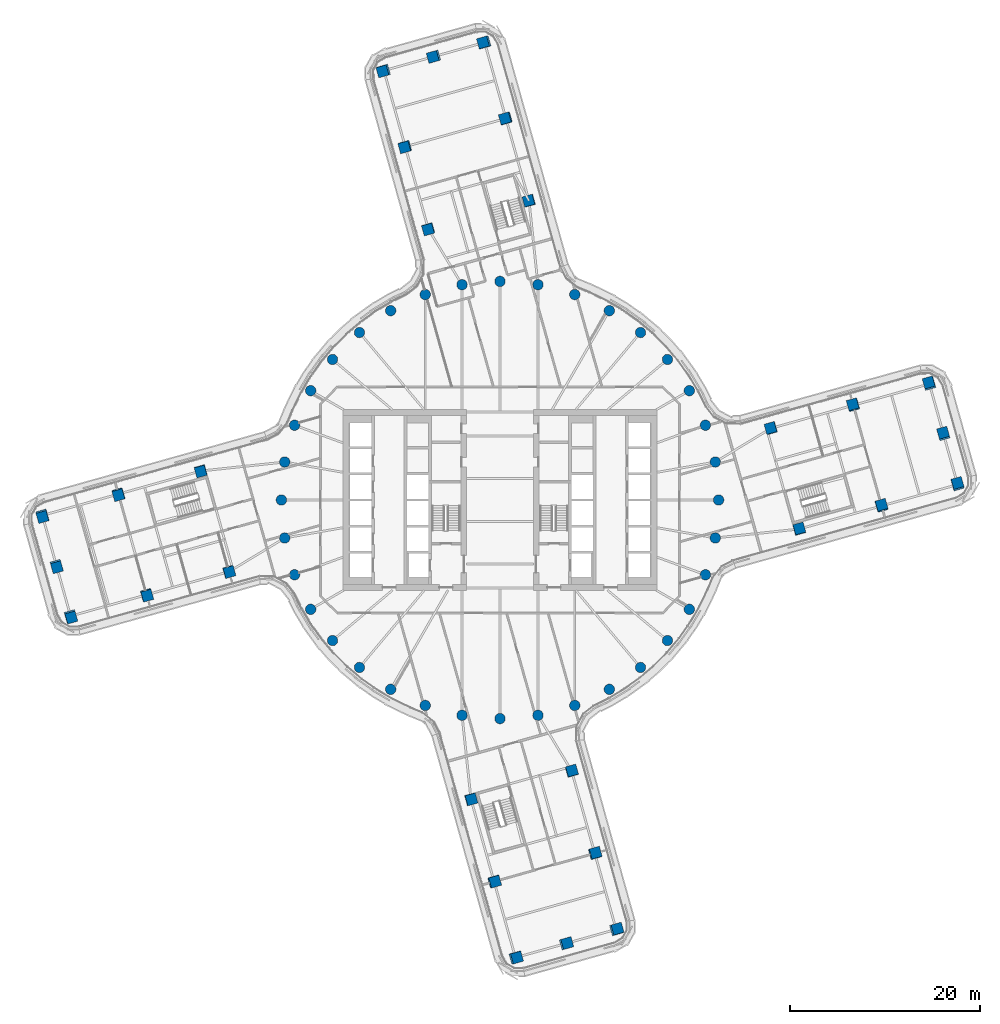
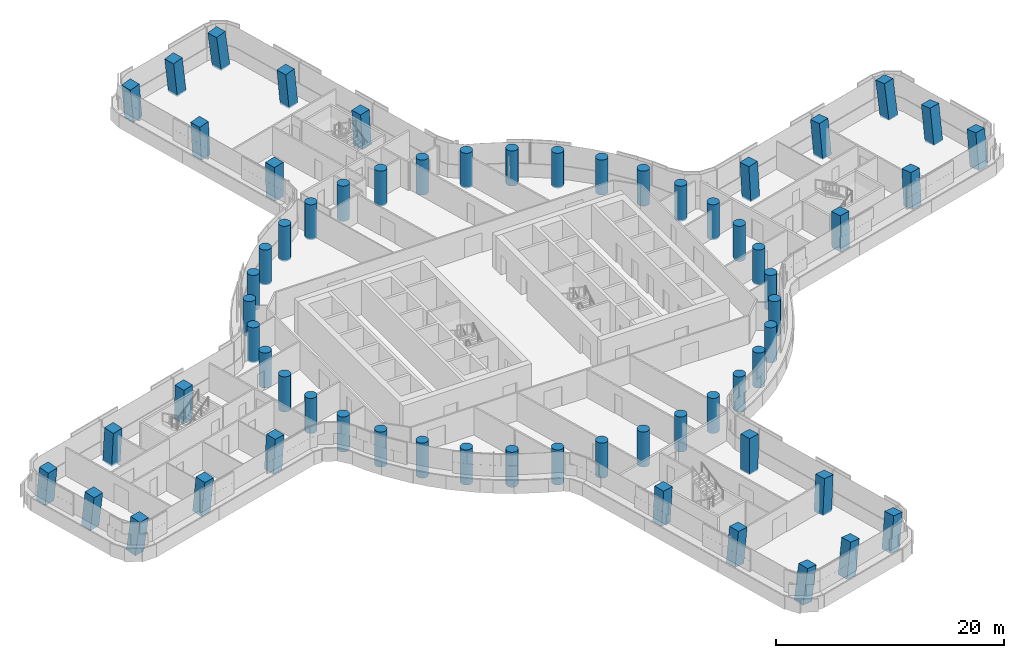
# One storey, part 1 of 30: 64 columns.
"""IFC4 building model written with IfcOpenShell, lengths in metres."""

from ifc_helpers import new_model, si_unit, direction, frame, origin, origin_2d, place, context, subcontext, project, spatial, rectangle, circle, extrude, material, material_profile, profile_set, type_object, element, save


model = new_model("IFC4")

# Units and contexts
model_context = context("Model", 3, precision=1e-05, world=origin(), true_north=direction((0.0, 1.0)))
body_context = subcontext(model_context, "Body", "Model", "MODEL_VIEW")
ifc_project = project(units=[si_unit("LENGTHUNIT", "METRE"), si_unit("AREAUNIT", "SQUARE_METRE"), si_unit("VOLUMEUNIT", "CUBIC_METRE"), si_unit("PLANEANGLEUNIT", "RADIAN"), si_unit("MASSUNIT", "GRAM", prefix="KILO")], contexts=[model_context])

# Site, building, storey
site_placement = place(None, origin())
site = spatial("IfcSite", under=ifc_project, at=site_placement, CompositionType="ELEMENT")
building_placement = place(site_placement, origin())
building = spatial("IfcBuilding", under=site, at=building_placement, Name="Tamarind Cross Interchange Tower", CompositionType="ELEMENT")
storey_placement = place(building_placement, frame((0.0, 0.0, 91.0)))
storey = spatial("IfcBuildingStorey", under=building, at=storey_placement, Name="L21", CompositionType="ELEMENT", Elevation=91.0)

# Columns
ifc_material = material(Name="Concrete C65", Category="concrete")
ifc_material_profile_1 = material_profile(ifc_material, rectangle(XDim=1.10009765625, YDim=1.10009765625, at=origin_2d()), Name="RC 1100x1100")
ifc_profile_set_1 = profile_set([ifc_material_profile_1], Name="Concrete C65")
column_type_1 = type_object("IfcColumnType", Name="Column RC 1100x1100 Concrete C65", PredefinedType="COLUMN", material=ifc_profile_set_1)
for number, where, z_axis, x_axis, name in (
    (1, (37.171142578125, 9.968994140625, -0.138427734375), (-0.049004689524, 0.073020232735, 0.99612578825), (0.268669150235, -0.959601271234, 0.083560085917), "Column L21-036"),
    (2, (40.142578125, -0.6220703125, -0.138427734375), (0.002206839176, 0.087884124852, 0.996128260045), (-0.962778232812, -0.269051678273, 0.025870230814), "Column L21-037"),
):
    element("IfcColumn", number, at=place(storey_placement, frame(where, z_axis=z_axis, x_axis=x_axis)), inside=storey, type_object=column_type_1, Name=name, PredefinedType="COLUMN", context=body_context, shape_type="SweptSolid", body=[
        extrude(rectangle(XDim=1.10009765625, YDim=1.10009765625, at=origin_2d()), origin(), (0.0, 0.0, 1.0), 3.761474609375),
    ])
for number, where, z_axis, x_axis, name in (
    (3, (28.505615234375, 7.53759765625, -0.138671875), (-0.036897250317, 0.03130084198, 0.998828739179), (0.268824789483, -0.9623544858, 0.040088355157), "Column L21-038"),
    (4, (31.47705078125, -3.053466796875, -0.138671875), (0.014446526118, 0.046202853801, 0.998827609843), (-0.962761142023, -0.2690642181, 0.026371005823), "Column L21-039"),
):
    element("IfcColumn", number, at=place(storey_placement, frame(where, z_axis=z_axis, x_axis=x_axis)), inside=storey, type_object=column_type_1, Name=name, PredefinedType="COLUMN", context=body_context, shape_type="SweptSolid", body=[
        extrude(rectangle(XDim=1.10009765625, YDim=1.10009765625, at=origin_2d()), origin(), (0.0, 0.0, 1.0), 3.751708984375),
    ])
column_1_placement = place(storey_placement, frame((48.147216796875, 1.623779296875, -0.138671875), z_axis=(-0.007238046781, 0.126536567828, 0.991935536051), x_axis=(-0.96285727472, -0.268633059123, 0.027242394618)))
element("IfcColumn", 5, at=column_1_placement, inside=storey, type_object=column_type_1, Name="Column L21-040", PredefinedType="COLUMN", context=body_context, shape_type="SweptSolid", body=[
    extrude(rectangle(XDim=1.10009765625, YDim=1.10009765625, at=origin_2d()), origin(), (0.0, 0.0, 1.0), 3.77783203125),
])
column_2_placement = place(storey_placement, frame((46.661376953125, 6.919189453125, -0.138671875), z_axis=(-0.032713439008, 0.119216564291, 0.992329200269), x_axis=(-0.962800883971, -0.270210909527, 0.000722631434)))
element("IfcColumn", 6, at=column_2_placement, inside=storey, type_object=column_type_1, Name="Column L21-041", PredefinedType="COLUMN", context=body_context, shape_type="SweptSolid", body=[
    extrude(rectangle(XDim=1.10009765625, YDim=1.10009765625, at=origin_2d()), origin(), (0.0, 0.0, 1.0), 3.7763671875),
])
column_3_placement = place(storey_placement, frame((45.175537109375, 12.214599609375, -0.138671875), z_axis=(-0.05816814884, 0.111812108325, 0.992025462825), x_axis=(0.266445014872, -0.955922515822, 0.123366112825)))
element("IfcColumn", 7, at=column_3_placement, inside=storey, type_object=column_type_1, Name="Column L21-042", PredefinedType="COLUMN", context=body_context, shape_type="SweptSolid", body=[
    extrude(rectangle(XDim=1.10009765625, YDim=1.10009765625, at=origin_2d()), origin(), (0.0, 0.0, 1.0), 3.77734375),
])
for number, where, z_axis, x_axis, name in (
    (8, (-9.968994140625, 37.171142578125, -0.138427734375), (-0.073020232735, -0.049004689524, 0.99612578825), (0.959601271234, 0.268669150235, 0.083560085917), "Column L21-043"),
    (9, (0.6220703125, 40.142578125, -0.138427734375), (-0.087884124852, 0.002206839176, 0.996128260045), (0.269051678273, -0.962778232812, 0.025870230814), "Column L21-044"),
):
    element("IfcColumn", number, at=place(storey_placement, frame(where, z_axis=z_axis, x_axis=x_axis)), inside=storey, type_object=column_type_1, Name=name, PredefinedType="COLUMN", context=body_context, shape_type="SweptSolid", body=[
        extrude(rectangle(XDim=1.10009765625, YDim=1.10009765625, at=origin_2d()), origin(), (0.0, 0.0, 1.0), 3.761474609375),
    ])
for number, where, z_axis, x_axis, name in (
    (10, (-7.53759765625, 28.505615234375, -0.138671875), (-0.03130084198, -0.036897250317, 0.998828739179), (0.9623544858, 0.268824789483, 0.040088355157), "Column L21-045"),
    (11, (3.053466796875, 31.47705078125, -0.138671875), (-0.046202853801, 0.014446526118, 0.998827609843), (0.2690642181, -0.962761142023, 0.026371005823), "Column L21-046"),
):
    element("IfcColumn", number, at=place(storey_placement, frame(where, z_axis=z_axis, x_axis=x_axis)), inside=storey, type_object=column_type_1, Name=name, PredefinedType="COLUMN", context=body_context, shape_type="SweptSolid", body=[
        extrude(rectangle(XDim=1.10009765625, YDim=1.10009765625, at=origin_2d()), origin(), (0.0, 0.0, 1.0), 3.751708984375),
    ])
column_4_placement = place(storey_placement, frame((-1.623779296875, 48.147216796875, -0.138671875), z_axis=(-0.126536567828, -0.007238046781, 0.991935536051), x_axis=(0.268633059123, -0.96285727472, 0.027242394618)))
element("IfcColumn", 12, at=column_4_placement, inside=storey, type_object=column_type_1, Name="Column L21-047", PredefinedType="COLUMN", context=body_context, shape_type="SweptSolid", body=[
    extrude(rectangle(XDim=1.10009765625, YDim=1.10009765625, at=origin_2d()), origin(), (0.0, 0.0, 1.0), 3.77783203125),
])
column_5_placement = place(storey_placement, frame((-6.919189453125, 46.661376953125, -0.138671875), z_axis=(-0.119216564291, -0.032713439008, 0.992329200269), x_axis=(0.270210909527, -0.962800883971, 0.000722631434)))
element("IfcColumn", 13, at=column_5_placement, inside=storey, type_object=column_type_1, Name="Column L21-048", PredefinedType="COLUMN", context=body_context, shape_type="SweptSolid", body=[
    extrude(rectangle(XDim=1.10009765625, YDim=1.10009765625, at=origin_2d()), origin(), (0.0, 0.0, 1.0), 3.7763671875),
])
column_6_placement = place(storey_placement, frame((-12.214599609375, 45.175537109375, -0.138671875), z_axis=(-0.111812108325, -0.05816814884, 0.992025462825), x_axis=(0.955922515822, 0.266445014872, 0.123366112825)))
element("IfcColumn", 14, at=column_6_placement, inside=storey, type_object=column_type_1, Name="Column L21-049", PredefinedType="COLUMN", context=body_context, shape_type="SweptSolid", body=[
    extrude(rectangle(XDim=1.10009765625, YDim=1.10009765625, at=origin_2d()), origin(), (0.0, 0.0, 1.0), 3.77734375),
])
for number, where, z_axis, x_axis, name in (
    (15, (-37.171142578125, -9.968994140625, -0.138427734375), (0.049004689524, -0.073020232735, 0.99612578825), (-0.268669150235, 0.959601271234, 0.083560085917), "Column L21-050"),
    (16, (-40.142578125, 0.6220703125, -0.138427734375), (-0.002206839176, -0.087884124852, 0.996128260045), (0.962778232812, 0.269051678273, 0.025870230814), "Column L21-051"),
):
    element("IfcColumn", number, at=place(storey_placement, frame(where, z_axis=z_axis, x_axis=x_axis)), inside=storey, type_object=column_type_1, Name=name, PredefinedType="COLUMN", context=body_context, shape_type="SweptSolid", body=[
        extrude(rectangle(XDim=1.10009765625, YDim=1.10009765625, at=origin_2d()), origin(), (0.0, 0.0, 1.0), 3.761474609375),
    ])
for number, where, z_axis, x_axis, name in (
    (17, (-28.505615234375, -7.53759765625, -0.138671875), (0.036897250317, -0.03130084198, 0.998828739179), (-0.268824789483, 0.9623544858, 0.040088355157), "Column L21-052"),
    (18, (-31.47705078125, 3.053466796875, -0.138671875), (-0.014446526118, -0.046202853801, 0.998827609843), (0.962761142023, 0.2690642181, 0.026371005823), "Column L21-053"),
):
    element("IfcColumn", number, at=place(storey_placement, frame(where, z_axis=z_axis, x_axis=x_axis)), inside=storey, type_object=column_type_1, Name=name, PredefinedType="COLUMN", context=body_context, shape_type="SweptSolid", body=[
        extrude(rectangle(XDim=1.10009765625, YDim=1.10009765625, at=origin_2d()), origin(), (0.0, 0.0, 1.0), 3.751708984375),
    ])
column_7_placement = place(storey_placement, frame((-48.147216796875, -1.623779296875, -0.138671875), z_axis=(0.007238046781, -0.126536567828, 0.991935536051), x_axis=(0.96285727472, 0.268633059123, 0.027242394618)))
element("IfcColumn", 19, at=column_7_placement, inside=storey, type_object=column_type_1, Name="Column L21-054", PredefinedType="COLUMN", context=body_context, shape_type="SweptSolid", body=[
    extrude(rectangle(XDim=1.10009765625, YDim=1.10009765625, at=origin_2d()), origin(), (0.0, 0.0, 1.0), 3.77783203125),
])
column_8_placement = place(storey_placement, frame((-46.661376953125, -6.919189453125, -0.138671875), z_axis=(0.032713439008, -0.119216564291, 0.992329200269), x_axis=(0.962800883971, 0.270210909527, 0.000722631434)))
element("IfcColumn", 20, at=column_8_placement, inside=storey, type_object=column_type_1, Name="Column L21-055", PredefinedType="COLUMN", context=body_context, shape_type="SweptSolid", body=[
    extrude(rectangle(XDim=1.10009765625, YDim=1.10009765625, at=origin_2d()), origin(), (0.0, 0.0, 1.0), 3.7763671875),
])
column_9_placement = place(storey_placement, frame((-45.175537109375, -12.214599609375, -0.138671875), z_axis=(0.05816814884, -0.111812108325, 0.992025462825), x_axis=(-0.266445014872, 0.955922515822, 0.123366112825)))
element("IfcColumn", 21, at=column_9_placement, inside=storey, type_object=column_type_1, Name="Column L21-056", PredefinedType="COLUMN", context=body_context, shape_type="SweptSolid", body=[
    extrude(rectangle(XDim=1.10009765625, YDim=1.10009765625, at=origin_2d()), origin(), (0.0, 0.0, 1.0), 3.77734375),
])
for number, where, z_axis, x_axis, name in (
    (22, (9.968994140625, -37.171142578125, -0.138427734375), (0.073020232735, 0.049004689524, 0.99612578825), (-0.959601271234, -0.268669150235, 0.083560085917), "Column L21-057"),
    (23, (-0.6220703125, -40.142578125, -0.138427734375), (0.087884124852, -0.002206839176, 0.996128260045), (-0.269051678273, 0.962778232812, 0.025870230814), "Column L21-058"),
):
    element("IfcColumn", number, at=place(storey_placement, frame(where, z_axis=z_axis, x_axis=x_axis)), inside=storey, type_object=column_type_1, Name=name, PredefinedType="COLUMN", context=body_context, shape_type="SweptSolid", body=[
        extrude(rectangle(XDim=1.10009765625, YDim=1.10009765625, at=origin_2d()), origin(), (0.0, 0.0, 1.0), 3.761474609375),
    ])
for number, where, z_axis, x_axis, name in (
    (24, (7.53759765625, -28.505615234375, -0.138671875), (0.03130084198, 0.036897250317, 0.998828739179), (-0.9623544858, -0.268824789483, 0.040088355157), "Column L21-059"),
    (25, (-3.053466796875, -31.47705078125, -0.138671875), (0.046202853801, -0.014446526118, 0.998827609843), (-0.2690642181, 0.962761142023, 0.026371005823), "Column L21-060"),
):
    element("IfcColumn", number, at=place(storey_placement, frame(where, z_axis=z_axis, x_axis=x_axis)), inside=storey, type_object=column_type_1, Name=name, PredefinedType="COLUMN", context=body_context, shape_type="SweptSolid", body=[
        extrude(rectangle(XDim=1.10009765625, YDim=1.10009765625, at=origin_2d()), origin(), (0.0, 0.0, 1.0), 3.751708984375),
    ])
column_10_placement = place(storey_placement, frame((1.623779296875, -48.147216796875, -0.138671875), z_axis=(0.126536567828, 0.007238046781, 0.991935536051), x_axis=(-0.268633059123, 0.96285727472, 0.027242394618)))
element("IfcColumn", 26, at=column_10_placement, inside=storey, type_object=column_type_1, Name="Column L21-061", PredefinedType="COLUMN", context=body_context, shape_type="SweptSolid", body=[
    extrude(rectangle(XDim=1.10009765625, YDim=1.10009765625, at=origin_2d()), origin(), (0.0, 0.0, 1.0), 3.77783203125),
])
column_11_placement = place(storey_placement, frame((6.919189453125, -46.661376953125, -0.138671875), z_axis=(0.119216564291, 0.032713439008, 0.992329200269), x_axis=(-0.270210909527, 0.962800883971, 0.000722631434)))
element("IfcColumn", 27, at=column_11_placement, inside=storey, type_object=column_type_1, Name="Column L21-062", PredefinedType="COLUMN", context=body_context, shape_type="SweptSolid", body=[
    extrude(rectangle(XDim=1.10009765625, YDim=1.10009765625, at=origin_2d()), origin(), (0.0, 0.0, 1.0), 3.7763671875),
])
column_12_placement = place(storey_placement, frame((12.214599609375, -45.175537109375, -0.138671875), z_axis=(0.111812108325, 0.05816814884, 0.992025462825), x_axis=(-0.955922515822, -0.266445014872, 0.123366112825)))
element("IfcColumn", 28, at=column_12_placement, inside=storey, type_object=column_type_1, Name="Column L21-063", PredefinedType="COLUMN", context=body_context, shape_type="SweptSolid", body=[
    extrude(rectangle(XDim=1.10009765625, YDim=1.10009765625, at=origin_2d()), origin(), (0.0, 0.0, 1.0), 3.77734375),
])
ifc_material_profile_2 = material_profile(ifc_material, circle(Radius=0.550048828125, at=origin_2d()), Name="RC D1100")
ifc_profile_set_2 = profile_set([ifc_material_profile_2], Name="Concrete C65")
column_type_2 = type_object("IfcColumnType", Name="Column RC D1100 Concrete C65", PredefinedType="COLUMN", material=ifc_profile_set_2)
for number, where, z_axis, x_axis, name in (
    (29, (23.0, 0.0, -0.139892578125), (0.0, 0.0, 1.0), (1.0, 0.0, 0.0), "Column L21-000"),
    (30, (22.650634765625, 3.993896484375, -0.139892578125), (0.0, 0.0, 1.0), (1.0, 0.0, 0.0), "Column L21-001"),
    (31, (21.613037109375, 7.866455078125, -0.139892578125), (0.0, 0.0, 1.0), (1.0, 0.0, 0.0), "Column L21-002"),
    (32, (19.918701171875, 11.5, -0.139892578125), (0.0, 0.0, 1.0), (1.0, 0.0, 0.0), "Column L21-003"),
    (33, (17.619140625, 14.7841796875, -0.139892578125), (0.0, 0.0, 1.0), (1.0, 0.0, 0.0), "Column L21-004"),
    (34, (14.7841796875, 17.619140625, -0.139892578125), (0.0, 0.0, 1.0), (1.0, 0.0, 0.0), "Column L21-005"),
    (35, (11.5, 19.918701171875, -0.139892578125), (0.0, 0.0, 1.0), (1.0, 0.0, 0.0), "Column L21-006"),
    (36, (7.866455078125, 21.613037109375, -0.139892578125), (0.0, 0.0, 1.0), (1.0, 0.0, 0.0), "Column L21-007"),
    (37, (3.993896484375, 22.650634765625, -0.139892578125), (0.0, 0.0, 1.0), (1.0, 0.0, 0.0), "Column L21-008"),
    (38, (0.0, 23.0, -0.139892578125), (0.0, 0.0, 1.0), (1.0, 0.0, 0.0), "Column L21-009"),
    (39, (-3.993896484375, 22.650634765625, -0.139892578125), (0.0, 0.0, 1.0), (1.0, 0.0, 0.0), "Column L21-010"),
    (40, (-7.866455078125, 21.613037109375, -0.139892578125), (0.0, 0.0, 1.0), (1.0, 0.0, 0.0), "Column L21-011"),
    (41, (-11.5, 19.918701171875, -0.139892578125), (0.0, 0.0, 1.0), (1.0, 0.0, 0.0), "Column L21-012"),
    (42, (-14.7841796875, 17.619140625, -0.139892578125), (0.0, 0.0, 1.0), (1.0, 0.0, 0.0), "Column L21-013"),
    (43, (-17.619140625, 14.7841796875, -0.139892578125), (0.0, 0.0, 1.0), (1.0, 0.0, 0.0), "Column L21-014"),
    (44, (-19.918701171875, 11.5, -0.139892578125), (0.0, 0.0, 1.0), (1.0, 0.0, 0.0), "Column L21-015"),
    (45, (-21.613037109375, 7.866455078125, -0.139892578125), (0.0, 0.0, 1.0), (1.0, 0.0, 0.0), "Column L21-016"),
    (46, (-22.650634765625, 3.993896484375, -0.139892578125), (0.0, 0.0, 1.0), (1.0, 0.0, 0.0), "Column L21-017"),
    (47, (-23.0, 0.0, -0.139892578125), (0.0, 0.0, 1.0), (1.0, 0.0, 0.0), "Column L21-018"),
    (48, (-22.650634765625, -3.993896484375, -0.139892578125), (0.0, 0.0, 1.0), (1.0, 0.0, 0.0), "Column L21-019"),
    (49, (-21.613037109375, -7.866455078125, -0.139892578125), (0.0, 0.0, 1.0), (1.0, 0.0, 0.0), "Column L21-020"),
    (50, (-19.918701171875, -11.5, -0.139892578125), (0.0, 0.0, 1.0), (1.0, 0.0, 0.0), "Column L21-021"),
    (51, (-17.619140625, -14.7841796875, -0.139892578125), (0.0, 0.0, 1.0), (1.0, 0.0, 0.0), "Column L21-022"),
    (52, (-14.7841796875, -17.619140625, -0.139892578125), (0.0, 0.0, 1.0), (1.0, 0.0, 0.0), "Column L21-023"),
    (53, (-11.5, -19.918701171875, -0.139892578125), (0.0, 0.0, 1.0), (1.0, 0.0, 0.0), "Column L21-024"),
    (54, (-7.866455078125, -21.613037109375, -0.139892578125), (0.0, 0.0, 1.0), (1.0, 0.0, 0.0), "Column L21-025"),
    (55, (-3.993896484375, -22.650634765625, -0.139892578125), (0.0, 0.0, 1.0), (1.0, 0.0, 0.0), "Column L21-026"),
    (56, (0.0, -23.0, -0.139892578125), (0.0, 0.0, 1.0), (1.0, 0.0, 0.0), "Column L21-027"),
    (57, (3.993896484375, -22.650634765625, -0.139892578125), (0.0, 0.0, 1.0), (1.0, 0.0, 0.0), "Column L21-028"),
    (58, (7.866455078125, -21.613037109375, -0.139892578125), (0.0, 0.0, 1.0), (1.0, 0.0, 0.0), "Column L21-029"),
    (59, (11.5, -19.918701171875, -0.139892578125), (0.0, 0.0, 1.0), (1.0, 0.0, 0.0), "Column L21-030"),
    (60, (14.7841796875, -17.619140625, -0.139892578125), (0.0, 0.0, 1.0), (1.0, 0.0, 0.0), "Column L21-031"),
    (61, (17.619140625, -14.7841796875, -0.139892578125), (0.0, 0.0, 1.0), (1.0, 0.0, 0.0), "Column L21-032"),
    (62, (19.918701171875, -11.5, -0.139892578125), (0.0, 0.0, 1.0), (1.0, 0.0, 0.0), "Column L21-033"),
    (63, (21.613037109375, -7.866455078125, -0.139892578125), (0.0, 0.0, 1.0), (1.0, 0.0, 0.0), "Column L21-034"),
    (64, (22.650634765625, -3.993896484375, -0.139892578125), (0.0, 0.0, 1.0), (1.0, 0.0, 0.0), "Column L21-035"),
):
    element("IfcColumn", number, at=place(storey_placement, frame(where, z_axis=z_axis, x_axis=x_axis)), inside=storey, type_object=column_type_2, Name=name, PredefinedType="COLUMN", context=body_context, shape_type="SweptSolid", body=[
        extrude(circle(Radius=0.550048828125, at=origin_2d()), origin(), (0.0, 0.0, 1.0), 3.75),
    ])

save(model, "model.ifc")
